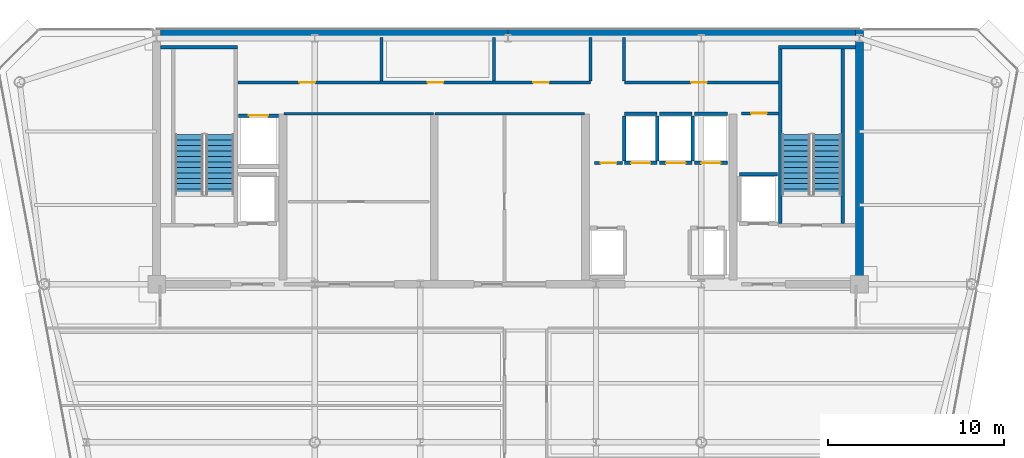
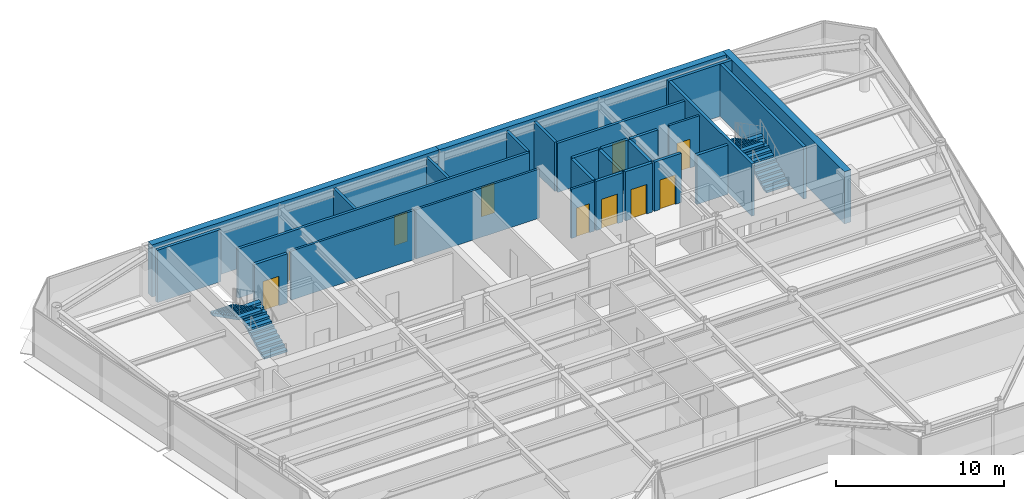
# One storey, part 11 of 18: 28 walls, 10 doors, 4 stair flights, 10 openings, 2 elements without a shape of their own.
"""IFC4 building model written with IfcOpenShell, lengths in metres."""

from ifc_helpers import new_model, si_unit, direction, frame, frame_2d, origin, place, context, subcontext, project, spatial, polyline, rectangle, outline, extrude, source, transform, mapped, material, layer, layer_set, type_object, element, fill, aggregate, save


model = new_model("IFC4")

# Units and contexts
model_context = context("Model", 3, precision=1e-05, world=origin(), true_north=direction((0.0, 1.0)))
body_context = subcontext(model_context, "Body", "Model", "MODEL_VIEW")
ifc_project = project(units=[si_unit("LENGTHUNIT", "METRE"), si_unit("AREAUNIT", "SQUARE_METRE"), si_unit("VOLUMEUNIT", "CUBIC_METRE"), si_unit("PLANEANGLEUNIT", "RADIAN"), si_unit("MASSUNIT", "GRAM", prefix="KILO")], contexts=[model_context])

# Site, building, storey
site_placement = place(None, origin())
site = spatial("IfcSite", under=ifc_project, at=site_placement, CompositionType="ELEMENT")
building_placement = place(site_placement, origin())
building = spatial("IfcBuilding", under=site, at=building_placement, Name="Vaeldorn Concourse Tower", CompositionType="ELEMENT")
storey_placement = place(building_placement, frame((0.0, 0.0, 257.39990234375)))
storey = spatial("IfcBuildingStorey", under=building, at=storey_placement, Name="L66", CompositionType="ELEMENT", Elevation=257.39990234375)

# Walls
ifc_material_1 = material(Name="Concrete C50/60", Category="concrete")
ifc_layer_1 = layer(ifc_material_1, 0.449951171875)
ifc_layer_set_1 = layer_set([ifc_layer_1], Name="Concrete C50/60")
wall_type_1 = type_object("IfcWallType", Name="WL-CORE-450", PredefinedType="SHEAR", material=ifc_layer_set_1)
for number, where, z_axis, x_axis, name in (
    (1, (14.22900390625, 50.77490234375, 0.0), (0.0, 0.0, 1.0), (1.0, 0.0, 0.0), "Rear Core Shear Wall L66 N1"),
    (2, (34.001953125, 50.77490234375, 0.0), (0.0, 0.0, 1.0), (1.0, 0.0, 0.0), "Rear Core Shear Wall L66 N2"),
):
    element("IfcWall", number, at=place(storey_placement, frame(where, z_axis=z_axis, x_axis=x_axis)), inside=storey, type_object=wall_type_1, Name=name, PredefinedType="SHEAR", context=body_context, shape_type="SweptSolid", body=[
        extrude(rectangle(XDim=19.76904296875, YDim=0.449951171875, at=frame_2d((9.884521484375, 0.0))), origin(), (0.0, 0.0, 1.0), 3.800048828125),
    ])
wall_1_placement = place(storey_placement, frame((54.0, 36.5, 0.0), z_axis=(0.0, 0.0, 1.0), x_axis=(0.0, 1.0, 0.0)))
element("IfcWall", 3, at=wall_1_placement, inside=storey, type_object=wall_type_1, Name="Rear Core Shear Wall L66 E1", PredefinedType="SHEAR", context=body_context, shape_type="SweptSolid", body=[
    extrude(rectangle(XDim=14.5, YDim=0.449951171875, at=frame_2d((7.25, 0.0))), origin(), (0.0, 0.0, 1.0), 3.800048828125),
])
ifc_material_2 = material(Name="Gypsum Board Partition", Category="gypsum")
ifc_layer_2 = layer(ifc_material_2, 0.14990234375)
ifc_layer_set_2 = layer_set([ifc_layer_2], Name="Gypsum Board Partition")
wall_type_2 = type_object("IfcWallType", Name="WL-PART-150", PredefinedType="PARTITIONING", material=ifc_layer_set_2)
for number, where, z_axis, x_axis, name in (
    (4, (21.25, 46.199951171875, 0.0), (0.0, 0.0, 1.0), (1.0, 0.0, 0.0), "Interior Wall CW-L66-R1N"),
    (5, (29.85009765625, 46.199951171875, 0.0), (0.0, 0.0, 1.0), (1.0, 0.0, 0.0), "Interior Wall CW-L66-R2N"),
):
    element("IfcWall", number, at=place(storey_placement, frame(where, z_axis=z_axis, x_axis=x_axis)), inside=storey, type_object=wall_type_2, Name=name, PredefinedType="PARTITIONING", context=body_context, shape_type="SweptSolid", body=[
        extrude(rectangle(XDim=8.5, YDim=0.14990234375, at=frame_2d((4.25, 0.0))), origin(), (0.0, 0.0, 1.0), 3.580078125),
    ])

# Wall, opening, door
wall_2_placement = place(storey_placement, frame((47.280029296875, 46.219970703125, 0.0), z_axis=(0.0, 0.0, 1.0), x_axis=(1.0, 0.0, 0.0)))
wall_2 = element("IfcWall", 6, at=wall_2_placement, inside=storey, type_object=wall_type_2, Name="Interior Wall CW-L66-CRSE-N", PredefinedType="PARTITIONING", context=body_context, shape_type="SweptSolid", body=[
    extrude(rectangle(XDim=2.099853515625, YDim=0.14990234375, at=frame_2d((1.0498046875, 0.0))), origin(), (0.0, 0.0, 1.0), 3.580078125),
])
opening_1_placement = place(wall_2_placement, frame((0.550048828125, 0.0, 0.0)))
opening_1 = element("IfcOpeningElement", 7, at=opening_1_placement, cuts=wall_2, Name="Opening D-02", PredefinedType="OPENING", context=body_context, shape_type="SweptSolid", body=[
    extrude(rectangle(XDim=0.89990234375, YDim=2.10009765625, at=frame_2d((0.449951171875, 1.050048828125))), frame((0.0, 0.0849609375, 0.0), z_axis=(0.0, -1.0, 0.0), x_axis=(1.0, 0.0, 0.0)), (0.0, 0.0, 1.0), 0.169921875),
])
ifc_material_3 = material(Name="Fire-Rated Timber Leaf", Category="wood")
door_type_1 = type_object("IfcDoorType", Name="DR-FD30-900", OperationType="NOTDEFINED", PredefinedType="DOOR", material=ifc_material_3)
shared_shape_1 = source(origin(), body_context, "Body", "SweptSolid", [
    extrude(rectangle(XDim=0.89990234375, YDim=2.10009765625, at=frame_2d((0.449951171875, 1.050048828125))), frame((0.0, 0.02490234375, 0.0), z_axis=(0.0, -1.0, 0.0), x_axis=(1.0, 0.0, 0.0)), (0.0, 0.0, 1.0), 0.050048828125),
])
door_1_placement = place(opening_1_placement, origin())
door_1 = element("IfcDoor", 8, at=door_1_placement, inside=storey, type_object=door_type_1, Name="Interior Door DR-L66-CRSE", OperationType="SINGLE_SWING_RIGHT", OverallHeight=2.10009765625, OverallWidth=0.89990234375, PredefinedType="DOOR", context=body_context, shape_type="MappedRepresentation", body=[
    mapped(shared_shape_1, transform((0.0, 0.0, 0.0), scale=1.0)),
])
fill(opening_1, door_1)

wall_3_placement = place(storey_placement, frame((38.919921875, 43.39990234375, 0.0), z_axis=(0.0, 0.0, 1.0), x_axis=(1.0, 0.0, 0.0)))
wall_3 = element("IfcWall", 9, at=wall_3_placement, inside=storey, type_object=wall_type_2, Name="Interior Wall CW-L66-CCLINK", PredefinedType="PARTITIONING", context=body_context, shape_type="SweptSolid", body=[
    extrude(rectangle(XDim=1.60009765625, YDim=0.14990234375, at=frame_2d((0.800048828125, 0.0))), origin(), (0.0, 0.0, 1.0), 3.580078125),
])
opening_2_placement = place(wall_3_placement, frame((0.35009765625, 0.0, 0.0)))
opening_2 = element("IfcOpeningElement", 10, at=opening_2_placement, cuts=wall_3, Name="Opening D-02", PredefinedType="OPENING", context=body_context, shape_type="SweptSolid", body=[
    extrude(rectangle(XDim=0.89990234375, YDim=2.10009765625, at=frame_2d((0.449951171875, 1.050048828125))), frame((0.0, 0.0849609375, 0.0), z_axis=(0.0, -1.0, 0.0), x_axis=(1.0, 0.0, 0.0)), (0.0, 0.0, 1.0), 0.169921875),
])
door_2_placement = place(opening_2_placement, origin())
door_2 = element("IfcDoor", 11, at=door_2_placement, inside=storey, type_object=door_type_1, Name="Interior Door DR-L66-CCLINK", OperationType="SINGLE_SWING_LEFT", OverallHeight=2.10009765625, OverallWidth=0.89990234375, PredefinedType="DOOR", context=body_context, shape_type="MappedRepresentation", body=[
    mapped(shared_shape_1, transform((0.0, 0.0, 0.0), scale=1.0)),
])
fill(opening_2, door_2)

# Wall, openings, doors
ifc_layer_3 = layer(ifc_material_2, 0.179931640625)
ifc_layer_set_3 = layer_set([ifc_layer_3], Name="Gypsum Board Partition")
wall_type_3 = type_object("IfcWallType", Name="WL-PLUMB-180", PredefinedType="PLUMBINGWALL", material=ifc_layer_set_3)
wall_4_placement = place(storey_placement, frame((18.6201171875, 47.97998046875, 0.0), z_axis=(0.0, 0.0, 1.0), x_axis=(1.0, 0.0, 0.0)))
wall_4 = element("IfcWall", 12, at=wall_4_placement, inside=storey, type_object=wall_type_3, Name="Interior Wall CW-L66-NS1W", PredefinedType="PLUMBINGWALL", context=body_context, shape_type="SweptSolid", body=[
    extrude(rectangle(XDim=20.059814453125, YDim=0.179931640625, at=frame_2d((10.02978515625, 0.0))), origin(), (0.0, 0.0, 1.0), 3.580078125),
])
opening_3_placement = place(wall_4_placement, frame((3.5, 0.0, 0.0)))
opening_3 = element("IfcOpeningElement", 13, at=opening_3_placement, cuts=wall_4, Name="Opening D-03", PredefinedType="OPENING", context=body_context, shape_type="SweptSolid", body=[
    extrude(rectangle(XDim=0.89990234375, YDim=2.14990234375, at=frame_2d((0.449951171875, 1.074951171875))), frame((0.0, 0.10009765625, 0.0), z_axis=(0.0, -1.0, 0.0), x_axis=(1.0, 0.0, 0.0)), (0.0, 0.0, 1.0), 0.199951171875),
])
opening_4_placement = place(wall_4_placement, frame((10.800048828125, 0.0, 0.0)))
opening_4 = element("IfcOpeningElement", 14, at=opening_4_placement, cuts=wall_4, Name="Opening D-03", PredefinedType="OPENING", context=body_context, shape_type="SweptSolid", body=[
    extrude(rectangle(XDim=0.89990234375, YDim=2.14990234375, at=frame_2d((0.449951171875, 1.074951171875))), frame((0.0, 0.10009765625, 0.0), z_axis=(0.0, -1.0, 0.0), x_axis=(1.0, 0.0, 0.0)), (0.0, 0.0, 1.0), 0.199951171875),
])
opening_5_placement = place(wall_4_placement, frame((16.800048828125, 0.0, 0.0)))
opening_5 = element("IfcOpeningElement", 15, at=opening_5_placement, cuts=wall_4, Name="Opening D-03", PredefinedType="OPENING", context=body_context, shape_type="SweptSolid", body=[
    extrude(rectangle(XDim=0.89990234375, YDim=2.14990234375, at=frame_2d((0.449951171875, 1.074951171875))), frame((0.0, 0.10009765625, 0.0), z_axis=(0.0, -1.0, 0.0), x_axis=(1.0, 0.0, 0.0)), (0.0, 0.0, 1.0), 0.199951171875),
])
ifc_material_4 = material(Name="Acoustic Bronze-Framed Glass Door", Category="glass")
door_type_2 = type_object("IfcDoorType", Name="DR-INT-900", OperationType="NOTDEFINED", PredefinedType="DOOR", material=ifc_material_4)
shared_shape_2 = source(origin(), body_context, "Body", "SweptSolid", [
    extrude(rectangle(XDim=0.89990234375, YDim=2.14990234375, at=frame_2d((0.449951171875, 1.074951171875))), frame((0.0, 0.02490234375, 0.0), z_axis=(0.0, -1.0, 0.0), x_axis=(1.0, 0.0, 0.0)), (0.0, 0.0, 1.0), 0.050048828125),
])
door_3_placement = place(opening_3_placement, origin())
door_3 = element("IfcDoor", 16, at=door_3_placement, inside=storey, type_object=door_type_2, Name="Interior Door DR-L66-CS1", OperationType="SINGLE_SWING_LEFT", OverallHeight=2.14990234375, OverallWidth=0.89990234375, PredefinedType="DOOR", context=body_context, shape_type="MappedRepresentation", body=[
    mapped(shared_shape_2, transform((0.0, 0.0, 0.0), scale=1.0)),
])
fill(opening_3, door_3)
door_4_placement = place(opening_4_placement, origin())
door_4 = element("IfcDoor", 17, at=door_4_placement, inside=storey, type_object=door_type_2, Name="Interior Door DR-L66-CS2", OperationType="SINGLE_SWING_RIGHT", OverallHeight=2.14990234375, OverallWidth=0.89990234375, PredefinedType="DOOR", context=body_context, shape_type="MappedRepresentation", body=[
    mapped(shared_shape_2, transform((0.0, 0.0, 0.0), scale=1.0)),
])
fill(opening_4, door_4)
door_5_placement = place(opening_5_placement, origin())
door_5 = element("IfcDoor", 18, at=door_5_placement, inside=storey, type_object=door_type_2, Name="Interior Door DR-L66-CS3", OperationType="SINGLE_SWING_LEFT", OverallHeight=2.14990234375, OverallWidth=0.89990234375, PredefinedType="DOOR", context=body_context, shape_type="MappedRepresentation", body=[
    mapped(shared_shape_2, transform((0.0, 0.0, 0.0), scale=1.0)),
])
fill(opening_5, door_5)

# Wall, opening, door
wall_5_placement = place(storey_placement, frame((40.6201171875, 47.97998046875, 0.0), z_axis=(0.0, 0.0, 1.0), x_axis=(1.0, 0.0, 0.0)))
wall_5 = element("IfcWall", 19, at=wall_5_placement, inside=storey, type_object=wall_type_3, Name="Interior Wall CW-L66-NS1E", PredefinedType="PLUMBINGWALL", context=body_context, shape_type="SweptSolid", body=[
    extrude(rectangle(XDim=8.759765625, YDim=0.179931640625, at=frame_2d((4.3798828125, 0.0))), origin(), (0.0, 0.0, 1.0), 3.580078125),
])
opening_6_placement = place(wall_5_placement, frame((3.800048828125, 0.0, 0.0)))
opening_6 = element("IfcOpeningElement", 20, at=opening_6_placement, cuts=wall_5, Name="Opening D-03", PredefinedType="OPENING", context=body_context, shape_type="SweptSolid", body=[
    extrude(rectangle(XDim=0.89990234375, YDim=2.14990234375, at=frame_2d((0.449951171875, 1.074951171875))), frame((0.0, 0.10009765625, 0.0), z_axis=(0.0, -1.0, 0.0), x_axis=(1.0, 0.0, 0.0)), (0.0, 0.0, 1.0), 0.199951171875),
])
door_6_placement = place(opening_6_placement, origin())
door_6 = element("IfcDoor", 21, at=door_6_placement, inside=storey, type_object=door_type_2, Name="Interior Door DR-L66-CS4", OperationType="SINGLE_SWING_RIGHT", OverallHeight=2.14990234375, OverallWidth=0.89990234375, PredefinedType="DOOR", context=body_context, shape_type="MappedRepresentation", body=[
    mapped(shared_shape_2, transform((0.0, 0.0, 0.0), scale=1.0)),
])
fill(opening_6, door_6)

# Walls
for number, where, z_axis, x_axis, name in (
    (22, (26.800048828125, 48.06005859375, 0.0), (0.0, 0.0, 1.0), (0.0, 1.0, 0.0), "Interior Wall CW-L66-NDIV1"),
    (23, (33.199951171875, 48.06005859375, 0.0), (0.0, 0.0, 1.0), (0.0, 1.0, 0.0), "Interior Wall CW-L66-NDIV2"),
    (24, (38.699951171875, 48.06005859375, 0.0), (0.0, 0.0, 1.0), (0.0, 1.0, 0.0), "Interior Wall CW-L66-NDIV3"),
    (25, (40.60009765625, 48.06005859375, 0.0), (0.0, 0.0, 1.0), (0.0, 1.0, 0.0), "Interior Wall CW-L66-NDIV4"),
):
    element("IfcWall", number, at=place(storey_placement, frame(where, z_axis=z_axis, x_axis=x_axis)), inside=storey, type_object=wall_type_3, Name=name, PredefinedType="PLUMBINGWALL", context=body_context, shape_type="SweptSolid", body=[
        extrude(rectangle(XDim=2.469970703125, YDim=0.179931640625, at=frame_2d((1.23486328125, 0.0))), origin(), (0.0, 0.0, 1.0), 3.580078125),
    ])
ifc_layer_4 = layer(ifc_material_1, 0.199951171875)
ifc_layer_set_4 = layer_set([ifc_layer_4], Name="Concrete C50/60")
wall_type_4 = type_object("IfcWallType", Name="WL-SHAFT-200", PredefinedType="SOLIDWALL", material=ifc_layer_set_4)
for number, where, z_axis, x_axis, name in (
    (26, (14.22509765625, 50.0, 0.0), (0.0, 0.0, 1.0), (1.0, 0.0, 0.0), "Stair Shaft Wall CW-L66-ST-1-N"),
    (27, (49.39990234375, 50.0, 0.0), (0.0, 0.0, 1.0), (1.0, 0.0, 0.0), "Stair Shaft Wall CW-L66-ST-2-N"),
):
    element("IfcWall", number, at=place(storey_placement, frame(where, z_axis=z_axis, x_axis=x_axis)), inside=storey, type_object=wall_type_4, Name=name, PredefinedType="SOLIDWALL", context=body_context, shape_type="SweptSolid", body=[
        extrude(rectangle(XDim=4.375, YDim=0.199951171875, at=frame_2d((2.1875, 0.0))), origin(), (0.0, 0.0, 1.0), 3.800048828125),
    ])
for number, where, z_axis, x_axis, name in (
    (28, (49.5, 39.9599609375, 0.0), (0.0, 0.0, 1.0), (0.0, 1.0, 0.0), "Stair Shaft Wall CW-L66-ST-2-W"),
    (29, (53.050048828125, 39.9599609375, 0.0), (0.0, 0.0, 1.0), (0.0, 1.0, 0.0), "Stair Shaft Wall CW-L66-ST-2-E"),
):
    element("IfcWall", number, at=place(storey_placement, frame(where, z_axis=z_axis, x_axis=x_axis)), inside=storey, type_object=wall_type_4, Name=name, PredefinedType="SOLIDWALL", context=body_context, shape_type="SweptSolid", body=[
        extrude(rectangle(XDim=9.929931640625, YDim=0.199951171875, at=frame_2d((4.96484375, 0.0))), origin(), (0.0, 0.0, 1.0), 3.800048828125),
    ])

# Wall, opening, door
wall_6_placement = place(storey_placement, frame((40.6201171875, 43.39990234375, 0.0), z_axis=(0.0, 0.0, 1.0), x_axis=(1.0, 0.0, 0.0)))
wall_6 = element("IfcWall", 30, at=wall_6_placement, inside=storey, type_object=wall_type_4, Name="Interior Wall CW-L66-LF-LF-15", PredefinedType="SOLIDWALL", context=body_context, shape_type="SweptSolid", body=[
    extrude(rectangle(XDim=1.85986328125, YDim=0.199951171875, at=frame_2d((0.929931640625, 0.0))), origin(), (0.0, 0.0, 1.0), 3.580078125),
])
opening_7_placement = place(wall_6_placement, frame((0.3798828125, 0.0, 0.0)))
opening_7 = element("IfcOpeningElement", 31, at=opening_7_placement, cuts=wall_6, Name="Opening LD-1", PredefinedType="OPENING", context=body_context, shape_type="SweptSolid", body=[
    extrude(rectangle(XDim=1.10009765625, YDim=2.14990234375, at=frame_2d((0.550048828125, 1.074951171875))), frame((0.0, 0.10986328125, 0.0), z_axis=(0.0, -1.0, 0.0), x_axis=(1.0, 0.0, 0.0)), (0.0, 0.0, 1.0), 0.219970703125),
])
ifc_material_5 = material(Name="Anodised Bronze Aluminium", Category="aluminium")
door_type_3 = type_object("IfcDoorType", Name="DR-LIFT-SLIDE-1100", OperationType="DOUBLE_DOOR_SLIDING", PredefinedType="DOOR", material=ifc_material_5)
shared_shape_3 = source(origin(), body_context, "Body", "SweptSolid", [
    extrude(rectangle(XDim=1.10009765625, YDim=2.14990234375, at=frame_2d((0.550048828125, 1.074951171875))), frame((0.0, 0.02490234375, 0.0), z_axis=(0.0, -1.0, 0.0), x_axis=(1.0, 0.0, 0.0)), (0.0, 0.0, 1.0), 0.050048828125),
])
door_7_placement = place(opening_7_placement, origin())
door_7 = element("IfcDoor", 32, at=door_7_placement, inside=storey, type_object=door_type_3, Name="Lift Landing Door LD-L66-LF-15", OperationType="DOUBLE_DOOR_SLIDING", OverallHeight=2.14990234375, OverallWidth=1.10009765625, PredefinedType="DOOR", context=body_context, shape_type="MappedRepresentation", body=[
    mapped(shared_shape_3, transform((0.0, 0.0, 0.0), scale=1.0)),
])
fill(opening_7, door_7)

# Walls
wall_7_placement = place(storey_placement, frame((40.6201171875, 46.199951171875, 0.0), z_axis=(0.0, 0.0, 1.0), x_axis=(1.0, 0.0, 0.0)))
element("IfcWall", 33, at=wall_7_placement, inside=storey, type_object=wall_type_4, Name="Interior Wall CW-L66-LFB-LF-15", PredefinedType="SOLIDWALL", context=body_context, shape_type="SweptSolid", body=[
    extrude(rectangle(XDim=1.85986328125, YDim=0.199951171875, at=frame_2d((0.929931640625, 0.0))), origin(), (0.0, 0.0, 1.0), 3.580078125),
])
for number, where, z_axis, x_axis, name in (
    (34, (40.60009765625, 43.52001953125, 0.0), (0.0, 0.0, 1.0), (0.0, 1.0, 0.0), "Interior Wall CW-L66-LFW-LF-15"),
    (35, (42.5, 43.52001953125, 0.0), (0.0, 0.0, 1.0), (0.0, 1.0, 0.0), "Interior Wall CW-L66-LFE-LF-15"),
):
    element("IfcWall", number, at=place(storey_placement, frame(where, z_axis=z_axis, x_axis=x_axis)), inside=storey, type_object=wall_type_4, Name=name, PredefinedType="SOLIDWALL", context=body_context, shape_type="SweptSolid", body=[
        extrude(rectangle(XDim=2.56005859375, YDim=0.199951171875, at=frame_2d((1.280029296875, 0.0))), origin(), (0.0, 0.0, 1.0), 3.580078125),
    ])

# Wall, opening, door
wall_8_placement = place(storey_placement, frame((42.6201171875, 43.39990234375, 0.0), z_axis=(0.0, 0.0, 1.0), x_axis=(1.0, 0.0, 0.0)))
wall_8 = element("IfcWall", 36, at=wall_8_placement, inside=storey, type_object=wall_type_4, Name="Interior Wall CW-L66-LF-LF-16", PredefinedType="SOLIDWALL", context=body_context, shape_type="SweptSolid", body=[
    extrude(rectangle(XDim=1.85986328125, YDim=0.199951171875, at=frame_2d((0.929931640625, 0.0))), origin(), (0.0, 0.0, 1.0), 3.580078125),
])
opening_8_placement = place(wall_8_placement, frame((0.3798828125, 0.0, 0.0)))
opening_8 = element("IfcOpeningElement", 37, at=opening_8_placement, cuts=wall_8, Name="Opening LD-1", PredefinedType="OPENING", context=body_context, shape_type="SweptSolid", body=[
    extrude(rectangle(XDim=1.10009765625, YDim=2.14990234375, at=frame_2d((0.550048828125, 1.074951171875))), frame((0.0, 0.10986328125, 0.0), z_axis=(0.0, -1.0, 0.0), x_axis=(1.0, 0.0, 0.0)), (0.0, 0.0, 1.0), 0.219970703125),
])
door_8_placement = place(opening_8_placement, origin())
door_8 = element("IfcDoor", 38, at=door_8_placement, inside=storey, type_object=door_type_3, Name="Lift Landing Door LD-L66-LF-16", OperationType="DOUBLE_DOOR_SLIDING", OverallHeight=2.14990234375, OverallWidth=1.10009765625, PredefinedType="DOOR", context=body_context, shape_type="MappedRepresentation", body=[
    mapped(shared_shape_3, transform((0.0, 0.0, 0.0), scale=1.0)),
])
fill(opening_8, door_8)

# Walls
wall_9_placement = place(storey_placement, frame((42.6201171875, 46.199951171875, 0.0), z_axis=(0.0, 0.0, 1.0), x_axis=(1.0, 0.0, 0.0)))
element("IfcWall", 39, at=wall_9_placement, inside=storey, type_object=wall_type_4, Name="Interior Wall CW-L66-LFB-LF-16", PredefinedType="SOLIDWALL", context=body_context, shape_type="SweptSolid", body=[
    extrude(rectangle(XDim=1.85986328125, YDim=0.199951171875, at=frame_2d((0.929931640625, 0.0))), origin(), (0.0, 0.0, 1.0), 3.580078125),
])
wall_10_placement = place(storey_placement, frame((44.5, 43.52001953125, 0.0), z_axis=(0.0, 0.0, 1.0), x_axis=(0.0, 1.0, 0.0)))
element("IfcWall", 40, at=wall_10_placement, inside=storey, type_object=wall_type_4, Name="Interior Wall CW-L66-LFE-LF-16", PredefinedType="SOLIDWALL", context=body_context, shape_type="SweptSolid", body=[
    extrude(rectangle(XDim=2.56005859375, YDim=0.199951171875, at=frame_2d((1.280029296875, 0.0))), origin(), (0.0, 0.0, 1.0), 3.580078125),
])

# Wall, opening, door
wall_11_placement = place(storey_placement, frame((44.6201171875, 43.39990234375, 0.0), z_axis=(0.0, 0.0, 1.0), x_axis=(1.0, 0.0, 0.0)))
wall_11 = element("IfcWall", 41, at=wall_11_placement, inside=storey, type_object=wall_type_4, Name="Interior Wall CW-L66-LF-LF-17", PredefinedType="SOLIDWALL", context=body_context, shape_type="SweptSolid", body=[
    extrude(rectangle(XDim=1.85986328125, YDim=0.199951171875, at=frame_2d((0.929931640625, 0.0))), origin(), (0.0, 0.0, 1.0), 3.580078125),
])
opening_9_placement = place(wall_11_placement, frame((0.3798828125, 0.0, 0.0)))
opening_9 = element("IfcOpeningElement", 42, at=opening_9_placement, cuts=wall_11, Name="Opening LD-1", PredefinedType="OPENING", context=body_context, shape_type="SweptSolid", body=[
    extrude(rectangle(XDim=1.10009765625, YDim=2.14990234375, at=frame_2d((0.550048828125, 1.074951171875))), frame((0.0, 0.10986328125, 0.0), z_axis=(0.0, -1.0, 0.0), x_axis=(1.0, 0.0, 0.0)), (0.0, 0.0, 1.0), 0.219970703125),
])
door_9_placement = place(opening_9_placement, origin())
door_9 = element("IfcDoor", 43, at=door_9_placement, inside=storey, type_object=door_type_3, Name="Lift Landing Door LD-L66-LF-17", OperationType="DOUBLE_DOOR_SLIDING", OverallHeight=2.14990234375, OverallWidth=1.10009765625, PredefinedType="DOOR", context=body_context, shape_type="MappedRepresentation", body=[
    mapped(shared_shape_3, transform((0.0, 0.0, 0.0), scale=1.0)),
])
fill(opening_9, door_9)

# Wall
wall_12_placement = place(storey_placement, frame((44.6201171875, 46.199951171875, 0.0), z_axis=(0.0, 0.0, 1.0), x_axis=(1.0, 0.0, 0.0)))
element("IfcWall", 44, at=wall_12_placement, inside=storey, type_object=wall_type_4, Name="Interior Wall CW-L66-LFB-LF-17", PredefinedType="SOLIDWALL", context=body_context, shape_type="SweptSolid", body=[
    extrude(rectangle(XDim=1.85986328125, YDim=0.199951171875, at=frame_2d((0.929931640625, 0.0))), origin(), (0.0, 0.0, 1.0), 3.580078125),
])

# Wall, opening, door
wall_13_placement = place(storey_placement, frame((18.669921875, 46.10009765625, 0.0), z_axis=(0.0, 0.0, 1.0), x_axis=(1.0, 0.0, 0.0)))
wall_13 = element("IfcWall", 45, at=wall_13_placement, inside=storey, type_object=wall_type_4, Name="Interior Wall CW-L66-LF-LF-SV1", PredefinedType="SOLIDWALL", context=body_context, shape_type="SweptSolid", body=[
    extrude(rectangle(XDim=2.260009765625, YDim=0.199951171875, at=frame_2d((1.1298828125, 0.0))), origin(), (0.0, 0.0, 1.0), 3.580078125),
])
opening_10_placement = place(wall_13_placement, frame((0.580078125, 0.0, 0.0)))
opening_10 = element("IfcOpeningElement", 46, at=opening_10_placement, cuts=wall_13, Name="Opening LD-1", PredefinedType="OPENING", context=body_context, shape_type="SweptSolid", body=[
    extrude(rectangle(XDim=1.10009765625, YDim=2.14990234375, at=frame_2d((0.550048828125, 1.074951171875))), frame((0.0, 0.10986328125, 0.0), z_axis=(0.0, -1.0, 0.0), x_axis=(1.0, 0.0, 0.0)), (0.0, 0.0, 1.0), 0.219970703125),
])
door_10_placement = place(opening_10_placement, origin())
door_10 = element("IfcDoor", 47, at=door_10_placement, inside=storey, type_object=door_type_3, Name="Lift Landing Door LD-L66-LF-SV1", OperationType="DOUBLE_DOOR_SLIDING", OverallHeight=2.14990234375, OverallWidth=1.10009765625, PredefinedType="DOOR", context=body_context, shape_type="MappedRepresentation", body=[
    mapped(shared_shape_3, transform((0.0, 0.0, 0.0), scale=1.0)),
])
fill(opening_10, door_10)

# Wall
wall_14_placement = place(storey_placement, frame((47.169921875, 42.75, 0.0), z_axis=(0.0, 0.0, 1.0), x_axis=(1.0, 0.0, 0.0)))
element("IfcWall", 48, at=wall_14_placement, inside=storey, type_object=wall_type_4, Name="Interior Wall CW-L66-LFB-LF-FF2", PredefinedType="SOLIDWALL", context=body_context, shape_type="SweptSolid", body=[
    extrude(rectangle(XDim=2.16015625, YDim=0.199951171875, at=frame_2d((1.080078125, 0.0))), origin(), (0.0, 0.0, 1.0), 3.580078125),
])

# Stair, stair flights
ifc_material_6 = material(Name="Precast concrete C40/50", Category="concrete")
stair_type = type_object("IfcStairType", Name="STR-DOG-24x158", PredefinedType="HALF_TURN_STAIR", material=ifc_material_6)
stair_1_placement = place(storey_placement, origin())
stair_1 = element("IfcStair", 49, at=stair_1_placement, inside=storey, type_object=stair_type, Name="L66 West Core Exit Stair ST-1", PredefinedType="HALF_TURN_STAIR")
stair_flight_type = type_object("IfcStairFlightType", Name="STF-STR-12x158", PredefinedType="STRAIGHT", material=ifc_material_6)
stair_flight_1_placement = place(storey_placement, frame((17.60009765625, 41.60009765625, 0.0), z_axis=(0.0, 0.0, 1.0), x_axis=(0.0, 1.0, 0.0)))
stair_flight_1 = element("IfcStairFlight", 50, at=stair_flight_1_placement, type_object=stair_flight_type, Name="ST-1 flight 1", NumberOfRisers=12, NumberOfTreads=11, PredefinedType="STRAIGHT", RiserHeight=0.158333333, TreadLength=0.31, context=body_context, shape_type="SweptSolid", body=[
    extrude(outline(polyline([(0.0, 0.0), (0.0, 0.158447265625), (0.31005859375, 0.158447265625), (0.31005859375, 0.316650390625), (0.6201171875, 0.316650390625), (0.6201171875, 0.47509765625), (0.929931640625, 0.47509765625), (0.929931640625, 0.63330078125), (1.239990234375, 0.63330078125), (1.239990234375, 0.791748046875), (1.550048828125, 0.791748046875), (1.550048828125, 0.949951171875), (1.860107421875, 0.949951171875), (1.860107421875, 1.1083984375), (2.169921875, 1.1083984375), (2.169921875, 1.2666015625), (2.47998046875, 1.2666015625), (2.47998046875, 1.425048828125), (2.7900390625, 1.425048828125), (2.7900390625, 1.583251953125), (3.10009765625, 1.583251953125), (3.10009765625, 1.74169921875), (3.409912109375, 1.74169921875), (3.409912109375, 1.89990234375), (3.409912109375, 1.5732421875), (0.32958984375, 0.0), (0.0, 0.0)])), frame((0.0, 0.800048828125, 0.0), z_axis=(0.0, -1.0, 0.0), x_axis=(1.0, 0.0, 0.0)), (0.0, 0.0, 1.0), 1.60009765625),
])
stair_flight_2_placement = place(storey_placement, frame((15.85009765625, 45.010009765625, 1.900146484375), z_axis=(0.0, 0.0, 1.0), x_axis=(0.0, -1.0, 0.0)))
stair_flight_2 = element("IfcStairFlight", 51, at=stair_flight_2_placement, type_object=stair_flight_type, Name="ST-1 flight 2", NumberOfRisers=12, NumberOfTreads=11, PredefinedType="STRAIGHT", RiserHeight=0.158333333, TreadLength=0.31, context=body_context, shape_type="SweptSolid", body=[
    extrude(outline(polyline([(0.0, 0.0), (0.0, 0.158447265625), (0.31005859375, 0.158447265625), (0.31005859375, 0.316650390625), (0.6201171875, 0.316650390625), (0.6201171875, 0.47509765625), (0.929931640625, 0.47509765625), (0.929931640625, 0.63330078125), (1.239990234375, 0.63330078125), (1.239990234375, 0.791748046875), (1.550048828125, 0.791748046875), (1.550048828125, 0.949951171875), (1.860107421875, 0.949951171875), (1.860107421875, 1.1083984375), (2.169921875, 1.1083984375), (2.169921875, 1.2666015625), (2.47998046875, 1.2666015625), (2.47998046875, 1.425048828125), (2.7900390625, 1.425048828125), (2.7900390625, 1.583251953125), (3.10009765625, 1.583251953125), (3.10009765625, 1.74169921875), (3.409912109375, 1.74169921875), (3.409912109375, 1.89990234375), (3.409912109375, 1.5732421875), (0.32958984375, 0.0), (0.0, 0.0)])), frame((0.0, 0.800048828125, 0.0), z_axis=(0.0, -1.0, 0.0), x_axis=(1.0, 0.0, 0.0)), (0.0, 0.0, 1.0), 1.60009765625),
])
aggregate(stair_1, [stair_flight_1, stair_flight_2])

stair_2_placement = place(storey_placement, origin())
stair_2 = element("IfcStair", 52, at=stair_2_placement, inside=storey, type_object=stair_type, Name="L66 East Core Exit Stair ST-2", PredefinedType="HALF_TURN_STAIR")
stair_flight_3_placement = place(storey_placement, frame((52.14990234375, 41.60009765625, 0.0), z_axis=(0.0, 0.0, 1.0), x_axis=(0.0, 1.0, 0.0)))
stair_flight_3 = element("IfcStairFlight", 53, at=stair_flight_3_placement, type_object=stair_flight_type, Name="ST-2 flight 1", NumberOfRisers=12, NumberOfTreads=11, PredefinedType="STRAIGHT", RiserHeight=0.158333333, TreadLength=0.31, context=body_context, shape_type="SweptSolid", body=[
    extrude(outline(polyline([(0.0, 0.0), (0.0, 0.158447265625), (0.31005859375, 0.158447265625), (0.31005859375, 0.316650390625), (0.6201171875, 0.316650390625), (0.6201171875, 0.47509765625), (0.929931640625, 0.47509765625), (0.929931640625, 0.63330078125), (1.239990234375, 0.63330078125), (1.239990234375, 0.791748046875), (1.550048828125, 0.791748046875), (1.550048828125, 0.949951171875), (1.860107421875, 0.949951171875), (1.860107421875, 1.1083984375), (2.169921875, 1.1083984375), (2.169921875, 1.2666015625), (2.47998046875, 1.2666015625), (2.47998046875, 1.425048828125), (2.7900390625, 1.425048828125), (2.7900390625, 1.583251953125), (3.10009765625, 1.583251953125), (3.10009765625, 1.74169921875), (3.409912109375, 1.74169921875), (3.409912109375, 1.89990234375), (3.409912109375, 1.5732421875), (0.32958984375, 0.0), (0.0, 0.0)])), frame((0.0, 0.800048828125, 0.0), z_axis=(0.0, -1.0, 0.0), x_axis=(1.0, 0.0, 0.0)), (0.0, 0.0, 1.0), 1.60009765625),
])
stair_flight_4_placement = place(storey_placement, frame((50.39990234375, 45.010009765625, 1.900146484375), z_axis=(0.0, 0.0, 1.0), x_axis=(0.0, -1.0, 0.0)))
stair_flight_4 = element("IfcStairFlight", 54, at=stair_flight_4_placement, type_object=stair_flight_type, Name="ST-2 flight 2", NumberOfRisers=12, NumberOfTreads=11, PredefinedType="STRAIGHT", RiserHeight=0.158333333, TreadLength=0.31, context=body_context, shape_type="SweptSolid", body=[
    extrude(outline(polyline([(0.0, 0.0), (0.0, 0.158447265625), (0.31005859375, 0.158447265625), (0.31005859375, 0.316650390625), (0.6201171875, 0.316650390625), (0.6201171875, 0.47509765625), (0.929931640625, 0.47509765625), (0.929931640625, 0.63330078125), (1.239990234375, 0.63330078125), (1.239990234375, 0.791748046875), (1.550048828125, 0.791748046875), (1.550048828125, 0.949951171875), (1.860107421875, 0.949951171875), (1.860107421875, 1.1083984375), (2.169921875, 1.1083984375), (2.169921875, 1.2666015625), (2.47998046875, 1.2666015625), (2.47998046875, 1.425048828125), (2.7900390625, 1.425048828125), (2.7900390625, 1.583251953125), (3.10009765625, 1.583251953125), (3.10009765625, 1.74169921875), (3.409912109375, 1.74169921875), (3.409912109375, 1.89990234375), (3.409912109375, 1.5732421875), (0.32958984375, 0.0), (0.0, 0.0)])), frame((0.0, 0.800048828125, 0.0), z_axis=(0.0, -1.0, 0.0), x_axis=(1.0, 0.0, 0.0)), (0.0, 0.0, 1.0), 1.60009765625),
])
aggregate(stair_2, [stair_flight_3, stair_flight_4])

save(model, "model.ifc")
